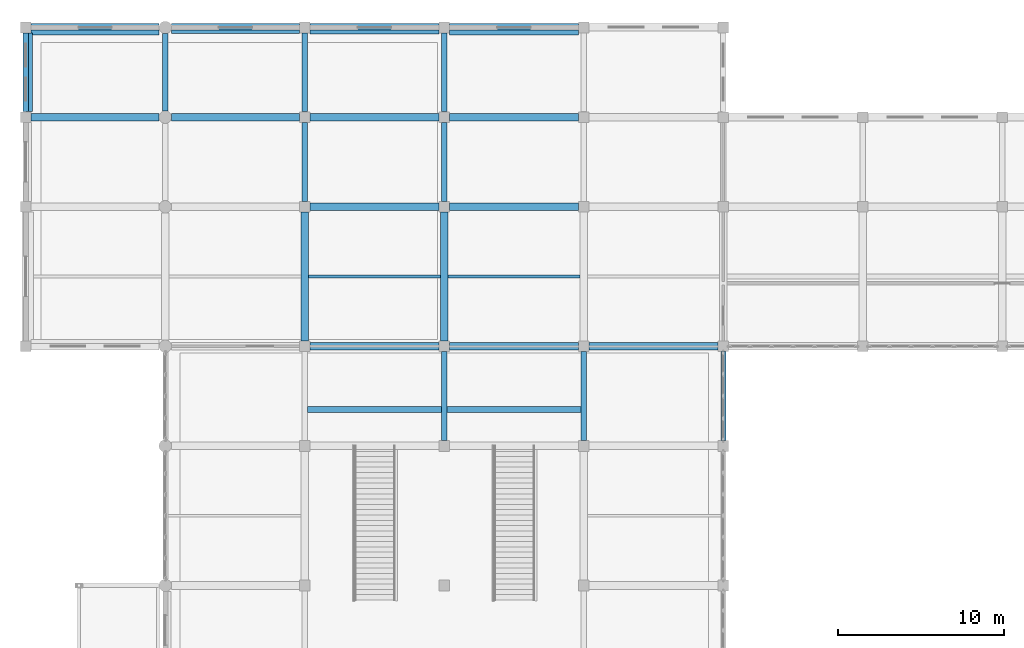
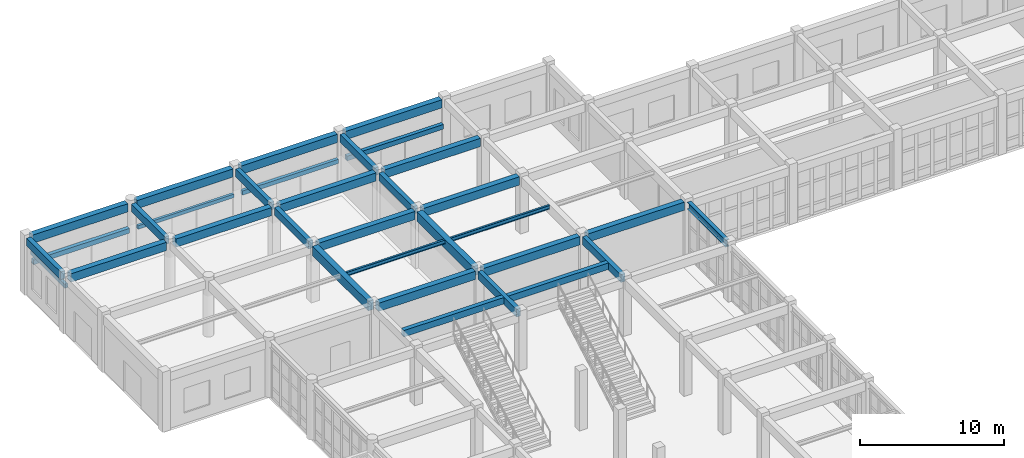
# One storey, part 31 of 80: 33 beams.
"""IFC4 building model written with IfcOpenShell, lengths in metres."""

from ifc_helpers import new_model, si_unit, direction, frame, origin, origin_2d, place, context, subcontext, project, spatial, rectangle, i_section, extrude, material, material_profile, profile_set, type_object, element, save


model = new_model("IFC4")

# Units and contexts
model_context = context("Model", 3, precision=1e-05, world=origin(), true_north=direction((0.0, 1.0)))
body_context = subcontext(model_context, "Body", "Model", "MODEL_VIEW")
ifc_project = project(units=[si_unit("LENGTHUNIT", "METRE"), si_unit("AREAUNIT", "SQUARE_METRE"), si_unit("VOLUMEUNIT", "CUBIC_METRE"), si_unit("PLANEANGLEUNIT", "RADIAN"), si_unit("MASSUNIT", "GRAM", prefix="KILO")], contexts=[model_context])

# Site, building, storey
site_placement = place(None, origin())
site = spatial("IfcSite", under=ifc_project, at=site_placement, CompositionType="ELEMENT")
building_placement = place(site_placement, origin())
building = spatial("IfcBuilding", under=site, at=building_placement, Name="Krzemoval Escarpment Law Courts", CompositionType="ELEMENT")
storey_placement = place(building_placement, origin())
storey = spatial("IfcBuildingStorey", under=building, at=storey_placement, Name="L00", CompositionType="ELEMENT", Elevation=0.0)

# Beams
ifc_material_1 = material(Name="Concrete C40/50", Category="concrete")
ifc_material_profile_1 = material_profile(ifc_material_1, rectangle(XDim=0.35009765625, YDim=0.550048828125, at=origin_2d()), Name="RCB 350x550")
ifc_profile_set_1 = profile_set([ifc_material_profile_1], Name="Concrete C40/50")
beam_type_1 = type_object("IfcBeamType", Name="BM-RC-350x550", PredefinedType="BEAM", material=ifc_profile_set_1)
beam_1_placement = place(storey_placement, frame((16.97509765625, 95.800048828125, 4.544921875), z_axis=(1.0, 0.0, 0.0), x_axis=(0.0, 1.0, 0.0)))
element("IfcBeam", 1, at=beam_1_placement, inside=storey, type_object=beam_type_1, Name="Beam FGT-L00-005", PredefinedType="BEAM", context=body_context, shape_type="SweptSolid", body=[
    extrude(rectangle(XDim=0.35009765625, YDim=0.550048828125, at=origin_2d()), origin(), (0.0, 0.0, 1.0), 8.0498046875),
])
beam_2_placement = place(storey_placement, frame((25.375, 95.800048828125, 4.544921875), z_axis=(1.0, 0.0, 0.0), x_axis=(0.0, 1.0, 0.0)))
element("IfcBeam", 2, at=beam_2_placement, inside=storey, type_object=beam_type_1, Name="Beam FGT-L00-006", PredefinedType="BEAM", context=body_context, shape_type="SweptSolid", body=[
    extrude(rectangle(XDim=0.35009765625, YDim=0.550048828125, at=origin_2d()), origin(), (0.0, 0.0, 1.0), 8.050048828125),
])
ifc_material_2 = material(Name="Concrete C40/50", Category="concrete")
ifc_material_profile_2 = material_profile(ifc_material_2, rectangle(XDim=0.35009765625, YDim=0.64990234375, at=origin_2d()), Name="RCB 350x650")
ifc_profile_set_2 = profile_set([ifc_material_profile_2], Name="Concrete C40/50")
beam_type_2 = type_object("IfcBeamType", Name="BM-RC-350x650", PredefinedType="BEAM", material=ifc_profile_set_2)
beam_3_placement = place(storey_placement, frame((0.0, 113.72509765625, 4.4951171875), z_axis=(0.0, 1.0, 0.0), x_axis=(-1.0, 0.0, 0.0)))
element("IfcBeam", 3, at=beam_3_placement, inside=storey, type_object=beam_type_2, Name="Beam FG-L00-0819", PredefinedType="BEAM", context=body_context, shape_type="SweptSolid", body=[
    extrude(rectangle(XDim=0.35009765625, YDim=0.64990234375, at=origin_2d()), origin(), (0.0, 0.0, 1.0), 4.75),
])
beam_4_placement = place(storey_placement, frame((8.39990234375, 113.77490234375, 4.4951171875), z_axis=(0.0, 1.0, 0.0), x_axis=(-1.0, 0.0, 0.0)))
element("IfcBeam", 4, at=beam_4_placement, inside=storey, type_object=beam_type_2, Name="Beam FG-L00-0835", PredefinedType="BEAM", context=body_context, shape_type="SweptSolid", body=[
    extrude(rectangle(XDim=0.35009765625, YDim=0.64990234375, at=origin_2d()), origin(), (0.0, 0.0, 1.0), 4.650146484375),
])
for number, where, z_axis, x_axis, name in (
    (5, (16.800048828125, 108.324951171875, 4.4951171875), (0.0, 1.0, 0.0), (-1.0, 0.0, 0.0), "Beam FG-L00-0850"),
    (6, (16.800048828125, 113.72509765625, 4.4951171875), (0.0, 1.0, 0.0), (-1.0, 0.0, 0.0), "Beam FG-L00-0851"),
):
    element("IfcBeam", number, at=place(storey_placement, frame(where, z_axis=z_axis, x_axis=x_axis)), inside=storey, type_object=beam_type_2, Name=name, PredefinedType="BEAM", context=body_context, shape_type="SweptSolid", body=[
        extrude(rectangle(XDim=0.35009765625, YDim=0.64990234375, at=origin_2d()), origin(), (0.0, 0.0, 1.0), 4.75),
    ])
beam_5_placement = place(storey_placement, frame((25.199951171875, 93.925048828125, 4.4951171875), z_axis=(0.0, 1.0, 0.0), x_axis=(-1.0, 0.0, 0.0)))
element("IfcBeam", 7, at=beam_5_placement, inside=storey, type_object=beam_type_2, Name="Beam FG-L00-0858", PredefinedType="BEAM", context=body_context, shape_type="SweptSolid", body=[
    extrude(rectangle(XDim=0.35009765625, YDim=0.64990234375, at=origin_2d()), origin(), (0.0, 0.0, 1.0), 5.349853515625),
])
for number, where, z_axis, x_axis, name in (
    (8, (25.199951171875, 108.324951171875, 4.4951171875), (0.0, 1.0, 0.0), (-1.0, 0.0, 0.0), "Beam FG-L00-0860"),
    (9, (25.199951171875, 113.72509765625, 4.4951171875), (0.0, 1.0, 0.0), (-1.0, 0.0, 0.0), "Beam FG-L00-0861"),
):
    element("IfcBeam", number, at=place(storey_placement, frame(where, z_axis=z_axis, x_axis=x_axis)), inside=storey, type_object=beam_type_2, Name=name, PredefinedType="BEAM", context=body_context, shape_type="SweptSolid", body=[
        extrude(rectangle(XDim=0.35009765625, YDim=0.64990234375, at=origin_2d()), origin(), (0.0, 0.0, 1.0), 4.75),
    ])
beam_6_placement = place(storey_placement, frame((33.60009765625, 93.925048828125, 4.4951171875), z_axis=(0.0, 1.0, 0.0), x_axis=(-1.0, 0.0, 0.0)))
element("IfcBeam", 10, at=beam_6_placement, inside=storey, type_object=beam_type_2, Name="Beam FG-L00-0874", PredefinedType="BEAM", context=body_context, shape_type="SweptSolid", body=[
    extrude(rectangle(XDim=0.35009765625, YDim=0.64990234375, at=origin_2d()), origin(), (0.0, 0.0, 1.0), 5.349853515625),
])
ifc_material_3 = material(Name="Concrete C40/50", Category="concrete")
ifc_material_profile_3 = material_profile(ifc_material_3, rectangle(XDim=0.449951171875, YDim=0.699951171875, at=origin_2d()), Name="RCB 450x700")
ifc_profile_set_3 = profile_set([ifc_material_profile_3], Name="Concrete C40/50")
beam_type_3 = type_object("IfcBeamType", Name="BM-RC-450x700", PredefinedType="BEAM", material=ifc_profile_set_3)
for number, where, z_axis, x_axis, name in (
    (11, (17.125, 99.60009765625, 4.469970703125), (1.0, 0.0, 0.0), (0.0, 1.0, 0.0), "Beam FG-L00-0743"),
    (12, (25.52490234375, 99.60009765625, 4.469970703125), (1.0, 0.0, 0.0), (0.0, 1.0, 0.0), "Beam FG-L00-0744"),
    (13, (33.925048828125, 99.60009765625, 4.469970703125), (1.0, 0.0, 0.0), (0.0, 1.0, 0.0), "Beam FG-L00-0745"),
    (14, (17.125, 108.0, 4.469970703125), (1.0, 0.0, 0.0), (0.0, 1.0, 0.0), "Beam FG-L00-0762"),
    (15, (25.52490234375, 108.0, 4.469970703125), (1.0, 0.0, 0.0), (0.0, 1.0, 0.0), "Beam FG-L00-0763"),
):
    element("IfcBeam", number, at=place(storey_placement, frame(where, z_axis=z_axis, x_axis=x_axis)), inside=storey, type_object=beam_type_3, Name=name, PredefinedType="BEAM", context=body_context, shape_type="SweptSolid", body=[
        extrude(rectangle(XDim=0.449951171875, YDim=0.699951171875, at=origin_2d()), origin(), (0.0, 0.0, 1.0), 7.75),
    ])
beam_7_placement = place(storey_placement, frame((0.324951171875, 113.39990234375, 4.469970703125), z_axis=(1.0, 0.0, 0.0), x_axis=(0.0, 1.0, 0.0)))
element("IfcBeam", 16, at=beam_7_placement, inside=storey, type_object=beam_type_3, Name="Beam FG-L00-0779", PredefinedType="BEAM", context=body_context, shape_type="SweptSolid", body=[
    extrude(rectangle(XDim=0.449951171875, YDim=0.699951171875, at=origin_2d()), origin(), (0.0, 0.0, 1.0), 7.699951171875),
])
beam_8_placement = place(storey_placement, frame((8.77490234375, 113.39990234375, 4.469970703125), z_axis=(1.0, 0.0, 0.0), x_axis=(0.0, 1.0, 0.0)))
element("IfcBeam", 17, at=beam_8_placement, inside=storey, type_object=beam_type_3, Name="Beam FG-L00-0780", PredefinedType="BEAM", context=body_context, shape_type="SweptSolid", body=[
    extrude(rectangle(XDim=0.449951171875, YDim=0.699951171875, at=origin_2d()), origin(), (0.0, 0.0, 1.0), 7.7001953125),
])
for number, where, z_axis, x_axis, name in (
    (18, (17.125, 113.39990234375, 4.469970703125), (1.0, 0.0, 0.0), (0.0, 1.0, 0.0), "Beam FG-L00-0781"),
    (19, (25.52490234375, 113.39990234375, 4.469970703125), (1.0, 0.0, 0.0), (0.0, 1.0, 0.0), "Beam FG-L00-0782"),
):
    element("IfcBeam", number, at=place(storey_placement, frame(where, z_axis=z_axis, x_axis=x_axis)), inside=storey, type_object=beam_type_3, Name=name, PredefinedType="BEAM", context=body_context, shape_type="SweptSolid", body=[
        extrude(rectangle(XDim=0.449951171875, YDim=0.699951171875, at=origin_2d()), origin(), (0.0, 0.0, 1.0), 7.75),
    ])
beam_9_placement = place(storey_placement, frame((0.324951171875, 118.800048828125, 4.469970703125), z_axis=(1.0, 0.0, 0.0), x_axis=(0.0, 1.0, 0.0)))
element("IfcBeam", 20, at=beam_9_placement, inside=storey, type_object=beam_type_3, Name="Beam FG-L00-0801", PredefinedType="BEAM", context=body_context, shape_type="SweptSolid", body=[
    extrude(rectangle(XDim=0.449951171875, YDim=0.699951171875, at=origin_2d()), origin(), (0.0, 0.0, 1.0), 7.699951171875),
])
beam_10_placement = place(storey_placement, frame((8.77490234375, 118.800048828125, 4.469970703125), z_axis=(1.0, 0.0, 0.0), x_axis=(0.0, 1.0, 0.0)))
element("IfcBeam", 21, at=beam_10_placement, inside=storey, type_object=beam_type_3, Name="Beam FG-L00-0802", PredefinedType="BEAM", context=body_context, shape_type="SweptSolid", body=[
    extrude(rectangle(XDim=0.449951171875, YDim=0.699951171875, at=origin_2d()), origin(), (0.0, 0.0, 1.0), 7.7001953125),
])
for number, where, z_axis, x_axis, name in (
    (22, (17.125, 118.800048828125, 4.469970703125), (1.0, 0.0, 0.0), (0.0, 1.0, 0.0), "Beam FG-L00-0803"),
    (23, (25.52490234375, 118.800048828125, 4.469970703125), (1.0, 0.0, 0.0), (0.0, 1.0, 0.0), "Beam FG-L00-0804"),
):
    element("IfcBeam", number, at=place(storey_placement, frame(where, z_axis=z_axis, x_axis=x_axis)), inside=storey, type_object=beam_type_3, Name=name, PredefinedType="BEAM", context=body_context, shape_type="SweptSolid", body=[
        extrude(rectangle(XDim=0.449951171875, YDim=0.699951171875, at=origin_2d()), origin(), (0.0, 0.0, 1.0), 7.75),
    ])
ifc_material_4 = material(Name="Concrete C40/50", Category="concrete")
ifc_material_profile_4 = material_profile(ifc_material_4, rectangle(XDim=0.449951171875, YDim=0.800048828125, at=origin_2d()), Name="RCB 450x800")
ifc_profile_set_4 = profile_set([ifc_material_profile_4], Name="Concrete C40/50")
beam_type_4 = type_object("IfcBeamType", Name="BM-RC-450x800", PredefinedType="BEAM", material=ifc_profile_set_4)
for number, where, z_axis, x_axis, name in (
    (24, (16.800048828125, 99.925048828125, 4.419921875), (0.0, 1.0, 0.0), (-1.0, 0.0, 0.0), "Beam FG-L00-0849"),
    (25, (25.199951171875, 99.925048828125, 4.419921875), (0.0, 1.0, 0.0), (-1.0, 0.0, 0.0), "Beam FG-L00-0859"),
):
    element("IfcBeam", number, at=place(storey_placement, frame(where, z_axis=z_axis, x_axis=x_axis)), inside=storey, type_object=beam_type_4, Name=name, PredefinedType="BEAM", context=body_context, shape_type="SweptSolid", body=[
        extrude(rectangle(XDim=0.449951171875, YDim=0.800048828125, at=origin_2d()), origin(), (0.0, 0.0, 1.0), 7.75),
    ])
ifc_material_5 = material(Name="Steel S355", Category="steel")
ifc_material_profile_5 = material_profile(ifc_material_5, i_section(OverallWidth=0.159912109375, OverallDepth=0.330078125, WebThickness=0.007568359375, FlangeThickness=0.011474609375, at=origin_2d()), Name="IPE 330")
ifc_profile_set_5 = profile_set([ifc_material_profile_5], Name="Steel S355")
beam_type_5 = type_object("IfcBeamType", Name="JST-S355-IPE330", PredefinedType="JOIST", material=ifc_profile_set_5)
beam_11_placement = place(storey_placement, frame((17.02490234375, 103.800048828125, 4.655029296875), z_axis=(1.0, 0.0, 0.0), x_axis=(0.0, 1.0, 0.0)))
element("IfcBeam", 26, at=beam_11_placement, inside=storey, type_object=beam_type_5, Name="Secondary Joist FJ-L00-1058", PredefinedType="JOIST", context=body_context, shape_type="SweptSolid", body=[
    extrude(i_section(OverallWidth=0.159912109375, OverallDepth=0.330078125, WebThickness=0.007568359375, FlangeThickness=0.011474609375, at=origin_2d()), origin(), (0.0, 0.0, 1.0), 7.9501953125),
])
beam_12_placement = place(storey_placement, frame((25.425048828125, 103.800048828125, 4.655029296875), z_axis=(1.0, 0.0, 0.0), x_axis=(0.0, 1.0, 0.0)))
element("IfcBeam", 27, at=beam_12_placement, inside=storey, type_object=beam_type_5, Name="Secondary Joist FJ-L00-1063", PredefinedType="JOIST", context=body_context, shape_type="SweptSolid", body=[
    extrude(i_section(OverallWidth=0.159912109375, OverallDepth=0.330078125, WebThickness=0.007568359375, FlangeThickness=0.011474609375, at=origin_2d()), origin(), (0.0, 0.0, 1.0), 7.949951171875),
])
ifc_material_6 = material(Name="Concrete C40/50", Category="concrete")
ifc_material_profile_6 = material_profile(ifc_material_6, rectangle(XDim=0.199951171875, YDim=0.300048828125, at=origin_2d()), Name="LIN 200x300")
ifc_profile_set_6 = profile_set([ifc_material_profile_6], Name="Concrete C40/50")
beam_type_6 = type_object("IfcBeamType", Name="LIN-RC-200x300", PredefinedType="LINTEL", material=ifc_profile_set_6)
beam_13_placement = place(storey_placement, frame((8.77490234375, 118.544921875, 2.610107421875), z_axis=(1.0, 0.0, 0.0), x_axis=(0.0, 1.0, 0.0)))
element("IfcBeam", 28, at=beam_13_placement, inside=storey, type_object=beam_type_6, Name="Opening Lintel FLN-010", PredefinedType="LINTEL", context=body_context, shape_type="SweptSolid", body=[
    extrude(rectangle(XDim=0.199951171875, YDim=0.300048828125, at=origin_2d()), origin(), (0.0, 0.0, 1.0), 7.7001953125),
])
ifc_material_7 = material(Name="Concrete C40/50", Category="concrete")
ifc_material_profile_7 = material_profile(ifc_material_7, rectangle(XDim=0.25, YDim=0.35009765625, at=origin_2d()), Name="LIN 250x350")
ifc_profile_set_7 = profile_set([ifc_material_profile_7], Name="Concrete C40/50")
beam_type_7 = type_object("IfcBeamType", Name="LIN-RC-250x350", PredefinedType="LINTEL", material=ifc_profile_set_7)
beam_14_placement = place(storey_placement, frame((0.280029296875, 113.72509765625, 3.485107421875), z_axis=(0.0, 1.0, 0.0), x_axis=(-1.0, 0.0, 0.0)))
element("IfcBeam", 29, at=beam_14_placement, inside=storey, type_object=beam_type_7, Name="Opening Lintel FLN-008", PredefinedType="LINTEL", context=body_context, shape_type="SweptSolid", body=[
    extrude(rectangle(XDim=0.25, YDim=0.35009765625, at=origin_2d()), origin(), (0.0, 0.0, 1.0), 4.75),
])
beam_15_placement = place(storey_placement, frame((17.125, 118.52001953125, 2.635009765625), z_axis=(1.0, 0.0, 0.0), x_axis=(0.0, 1.0, 0.0)))
element("IfcBeam", 30, at=beam_15_placement, inside=storey, type_object=beam_type_7, Name="Opening Lintel FLN-011", PredefinedType="LINTEL", context=body_context, shape_type="SweptSolid", body=[
    extrude(rectangle(XDim=0.25, YDim=0.35009765625, at=origin_2d()), origin(), (0.0, 0.0, 1.0), 7.75),
])
ifc_material_8 = material(Name="Concrete C40/50", Category="concrete")
ifc_material_profile_8 = material_profile(ifc_material_8, rectangle(XDim=0.300048828125, YDim=0.39990234375, at=origin_2d()), Name="LIN 300x400")
ifc_profile_set_8 = profile_set([ifc_material_profile_8], Name="Concrete C40/50")
beam_type_8 = type_object("IfcBeamType", Name="LIN-RC-300x400", PredefinedType="LINTEL", material=ifc_profile_set_8)
beam_16_placement = place(storey_placement, frame((0.324951171875, 118.4951171875, 2.659912109375), z_axis=(1.0, 0.0, 0.0), x_axis=(0.0, 1.0, 0.0)))
element("IfcBeam", 31, at=beam_16_placement, inside=storey, type_object=beam_type_8, Name="Opening Lintel FLN-009", PredefinedType="LINTEL", context=body_context, shape_type="SweptSolid", body=[
    extrude(rectangle(XDim=0.300048828125, YDim=0.39990234375, at=origin_2d()), origin(), (0.0, 0.0, 1.0), 7.699951171875),
])
beam_17_placement = place(storey_placement, frame((25.52490234375, 118.4951171875, 2.659912109375), z_axis=(1.0, 0.0, 0.0), x_axis=(0.0, 1.0, 0.0)))
element("IfcBeam", 32, at=beam_17_placement, inside=storey, type_object=beam_type_8, Name="Opening Lintel FLN-012", PredefinedType="LINTEL", context=body_context, shape_type="SweptSolid", body=[
    extrude(rectangle(XDim=0.300048828125, YDim=0.39990234375, at=origin_2d()), origin(), (0.0, 0.0, 1.0), 7.75),
])
ifc_material_9 = material(Name="Steel S355", Category="steel")
ifc_material_profile_9 = material_profile(ifc_material_9, i_section(OverallWidth=0.300048828125, OverallDepth=0.60009765625, WebThickness=0.015380859375, FlangeThickness=0.030029296875, at=origin_2d()), Name="HEB 600")
ifc_profile_set_9 = profile_set([ifc_material_profile_9], Name="Steel S355")
beam_type_9 = type_object("IfcBeamType", Name="SPN-S355-HEB600", PredefinedType="SPANDREL", material=ifc_profile_set_9)
beam_18_placement = place(storey_placement, frame((42.0, 93.925048828125, 4.52001953125), z_axis=(0.0, 1.0, 0.0), x_axis=(-1.0, 0.0, 0.0)))
element("IfcBeam", 33, at=beam_18_placement, inside=storey, type_object=beam_type_9, Name="Beam FG-L00-0890", PredefinedType="SPANDREL", context=body_context, shape_type="SweptSolid", body=[
    extrude(i_section(OverallWidth=0.300048828125, OverallDepth=0.60009765625, WebThickness=0.015380859375, FlangeThickness=0.030029296875, at=origin_2d()), origin(), (0.0, 0.0, 1.0), 5.349853515625),
])

save(model, "model.ifc")
